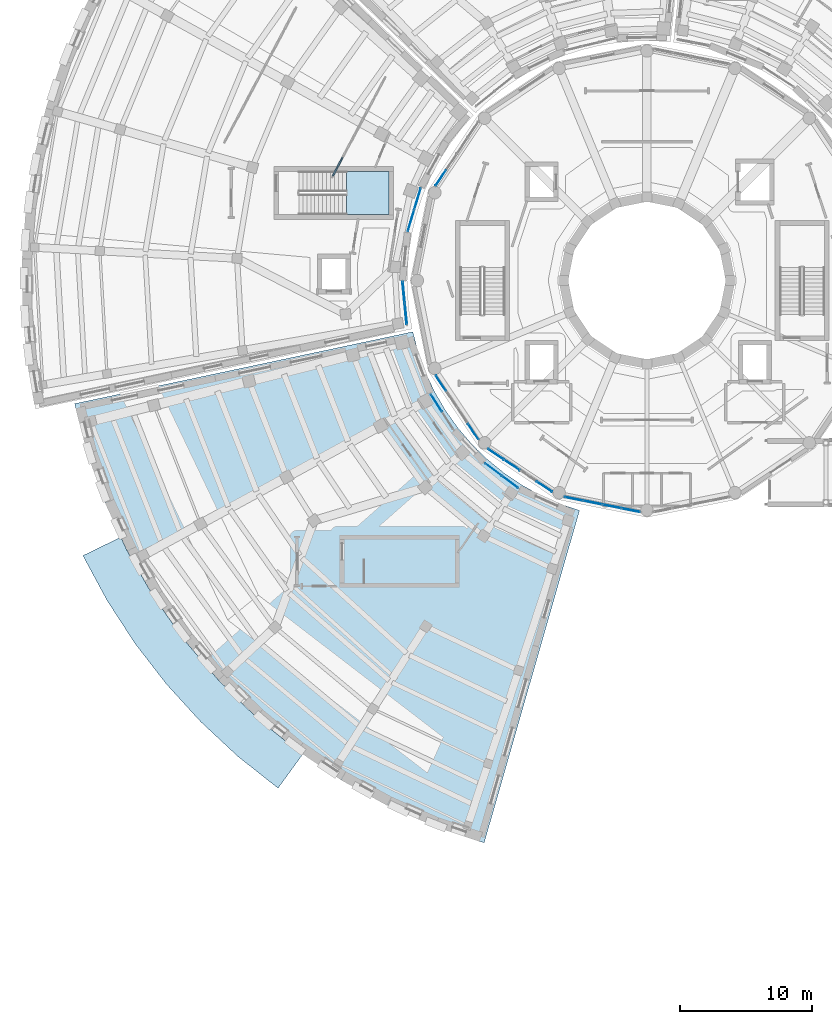
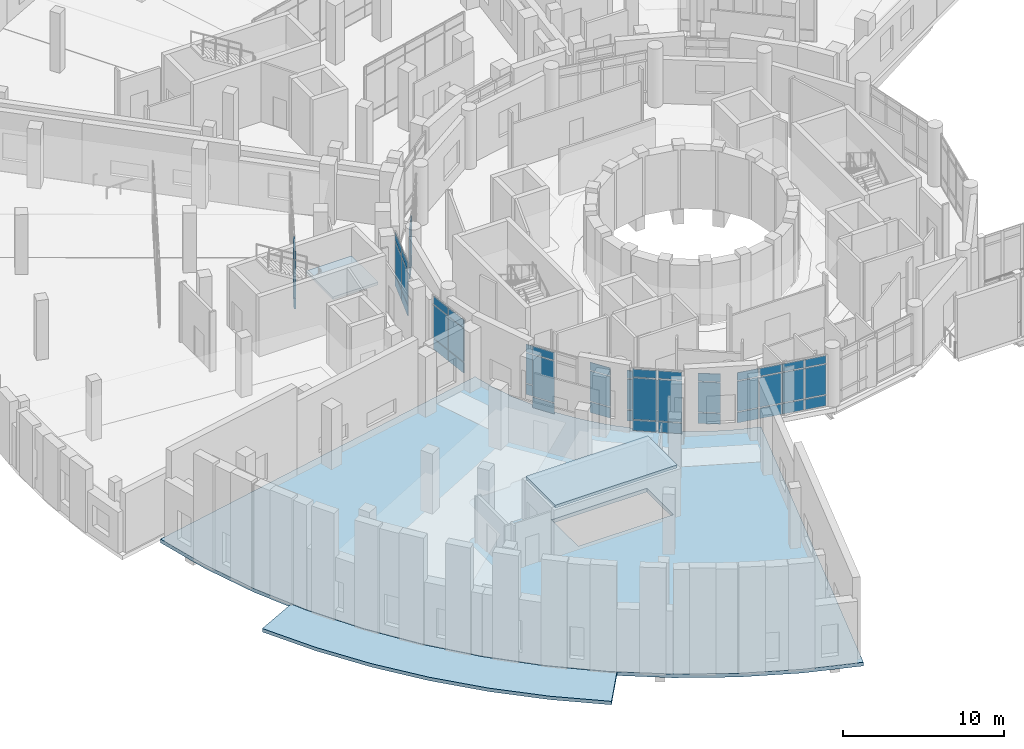
# One storey, part 46 of 89: 53 plates, 4 slabs, 10 elements without a shape of their own.
"""IFC4 building model written with IfcOpenShell, lengths in metres."""

from ifc_helpers import new_model, si_unit, direction, frame, origin, origin_2d, place, context, subcontext, project, spatial, polyline, rectangle, outline, extrude, material, layer, layer_set, type_object, element, aggregate, save


model = new_model("IFC4")

# Units and contexts
model_context = context("Model", 3, precision=1e-05, world=origin(), true_north=direction((0.0, 1.0)))
body_context = subcontext(model_context, "Body", "Model", "MODEL_VIEW")
ifc_project = project(units=[si_unit("LENGTHUNIT", "METRE"), si_unit("AREAUNIT", "SQUARE_METRE"), si_unit("VOLUMEUNIT", "CUBIC_METRE"), si_unit("PLANEANGLEUNIT", "RADIAN"), si_unit("MASSUNIT", "GRAM", prefix="KILO")], contexts=[model_context])

# Site, building, storey
site_placement = place(None, origin())
site = spatial("IfcSite", under=ifc_project, at=site_placement, CompositionType="ELEMENT")
building_placement = place(site_placement, origin())
building = spatial("IfcBuilding", under=site, at=building_placement, Name="Soyqirgoq Riverine Aquarium", CompositionType="ELEMENT")
storey_placement = place(building_placement, frame((0.0, 0.0, 5.39990234375)))
storey = spatial("IfcBuildingStorey", under=building, at=storey_placement, Name="L02", CompositionType="ELEMENT", Elevation=5.39990234375)

# Curtain wall, plates
ifc_material_1 = material(Name="Cast polymethyl methacrylate PMMA Habitat Viewing Glazing", Category="glass")
curtain_wall_type_1 = type_object("IfcCurtainWallType", Name="CW_Interior_TankVitrine", PredefinedType="NOTDEFINED", material=ifc_material_1)
curtain_wall_1_placement = place(storey_placement, origin())
curtain_wall_1 = element("IfcCurtainWall", 1, at=curtain_wall_1_placement, inside=storey, type_object=curtain_wall_type_1, Name="V3 L02 Curtain Wall 149", PredefinedType="NOTDEFINED")
ifc_material_2 = material(Name="Cast polymethyl methacrylate PMMA", Category="glass")
ifc_layer_1 = layer(ifc_material_2, 0.1201171875)
ifc_layer_set_1 = layer_set([ifc_layer_1], Name="Cast polymethyl methacrylate PMMA")
plate_type_1 = type_object("IfcPlateType", Name="CWAcrylicPanel_120", PredefinedType="CURTAIN_PANEL", material=ifc_layer_set_1)
plate_1_placement = place(storey_placement, frame((32.4912109375, 65.648193359375, 0.074951171875), z_axis=(0.0, 0.0, 1.0), x_axis=(-0.469472953199, -0.882946853562, 0.0)))
plate_1 = element("IfcPlate", 2, at=plate_1_placement, type_object=plate_type_1, Name="CW-07 panel 5.1", PredefinedType="CURTAIN_PANEL", context=body_context, shape_type="SweptSolid", body=[
    extrude(rectangle(XDim=1.59033203125, YDim=0.1201171875, at=origin_2d()), origin(), (0.0, 0.0, 1.0), 0.78759765625),
])
plate_2_placement = place(storey_placement, frame((32.4912109375, 65.648193359375, 0.9375), z_axis=(0.0, 0.0, 1.0), x_axis=(-0.469472953199, -0.882946853562, 0.0)))
plate_2 = element("IfcPlate", 3, at=plate_2_placement, type_object=plate_type_1, Name="CW-07 panel 5.2", PredefinedType="CURTAIN_PANEL", context=body_context, shape_type="SweptSolid", body=[
    extrude(rectangle(XDim=1.59033203125, YDim=0.1201171875, at=origin_2d()), origin(), (0.0, 0.0, 1.0), 2.844970703125),
])
plate_3_placement = place(storey_placement, frame((32.4912109375, 65.648193359375, 3.857666015625), z_axis=(0.0, 0.0, 1.0), x_axis=(-0.469472953199, -0.882946853562, 0.0)))
plate_3 = element("IfcPlate", 4, at=plate_3_placement, type_object=plate_type_1, Name="CW-07 panel 5.3", PredefinedType="CURTAIN_PANEL", context=body_context, shape_type="SweptSolid", body=[
    extrude(rectangle(XDim=1.59033203125, YDim=0.1201171875, at=origin_2d()), origin(), (0.0, 0.0, 1.0), 0.58740234375),
])
aggregate(curtain_wall_1, [plate_1, plate_2, plate_3])

ifc_material_3 = material(Name="Anodised aluminium thermally broken triple low-E glazing", Category="aluminium")
curtain_wall_type_2 = type_object("IfcCurtainWallType", Name="CW_DrumGallery_Unitised", PredefinedType="NOTDEFINED", material=ifc_material_3)
curtain_wall_2_placement = place(storey_placement, origin())
curtain_wall_2 = element("IfcCurtainWall", 5, at=curtain_wall_2_placement, inside=storey, type_object=curtain_wall_type_2, Name="V1 L02 Curtain Wall 035", PredefinedType="NOTDEFINED")
ifc_material_4 = material(Name="Triple insulated laminated low-E glass", Category="glass")
ifc_layer_2 = layer(ifc_material_4, 0.0458984375)
ifc_layer_set_2 = layer_set([ifc_layer_2], Name="Triple insulated laminated low-E glass")
plate_type_2 = type_object("IfcPlateType", Name="CWGlazedPanel_46", PredefinedType="CURTAIN_PANEL", material=ifc_layer_set_2)
plate_4_placement = place(storey_placement, frame((40.335205078125, 49.197021484375, 0.074951171875), z_axis=(0.0, 0.0, 1.0), x_axis=(0.5555648253, -0.8314732256, 0.0)))
plate_4 = element("IfcPlate", 6, at=plate_4_placement, type_object=plate_type_2, Name="CW-01 panel 1.1", PredefinedType="CURTAIN_PANEL", context=body_context, shape_type="SweptSolid", body=[
    extrude(rectangle(XDim=1.389892578125, YDim=0.0458984375, at=origin_2d()), origin(), (0.0, 0.0, 1.0), 0.78759765625),
])
plate_5_placement = place(storey_placement, frame((40.335205078125, 49.197021484375, 0.937744140625), z_axis=(0.0, 0.0, 1.0), x_axis=(0.5555648253, -0.8314732256, 0.0)))
plate_5 = element("IfcPlate", 7, at=plate_5_placement, type_object=plate_type_2, Name="CW-01 panel 1.2", PredefinedType="CURTAIN_PANEL", context=body_context, shape_type="SweptSolid", body=[
    extrude(rectangle(XDim=1.389892578125, YDim=0.0458984375, at=origin_2d()), origin(), (0.0, 0.0, 1.0), 2.27490234375),
])
plate_6_placement = place(storey_placement, frame((40.335205078125, 49.197021484375, 3.28759765625), z_axis=(0.0, 0.0, 1.0), x_axis=(0.5555648253, -0.8314732256, 0.0)))
plate_6 = element("IfcPlate", 8, at=plate_6_placement, type_object=plate_type_2, Name="CW-01 panel 1.3", PredefinedType="CURTAIN_PANEL", context=body_context, shape_type="SweptSolid", body=[
    extrude(rectangle(XDim=1.389892578125, YDim=0.0458984375, at=origin_2d()), origin(), (0.0, 0.0, 1.0), 0.58740234375),
])
plate_7_placement = place(storey_placement, frame((42.79638671875, 45.513671875, 0.074951171875), z_axis=(0.0, 0.0, 1.0), x_axis=(0.5555648253, -0.8314732256, 0.0)))
plate_7 = element("IfcPlate", 9, at=plate_7_placement, type_object=plate_type_2, Name="CW-01 panel 4.1", PredefinedType="CURTAIN_PANEL", context=body_context, shape_type="SweptSolid", body=[
    extrude(rectangle(XDim=1.389892578125, YDim=0.0458984375, at=origin_2d()), origin(), (0.0, 0.0, 1.0), 0.78759765625),
])
plate_8_placement = place(storey_placement, frame((42.79638671875, 45.513671875, 0.937744140625), z_axis=(0.0, 0.0, 1.0), x_axis=(0.5555648253, -0.8314732256, 0.0)))
plate_8 = element("IfcPlate", 10, at=plate_8_placement, type_object=plate_type_2, Name="CW-01 panel 4.2", PredefinedType="CURTAIN_PANEL", context=body_context, shape_type="SweptSolid", body=[
    extrude(rectangle(XDim=1.389892578125, YDim=0.0458984375, at=origin_2d()), origin(), (0.0, 0.0, 1.0), 2.27490234375),
])
plate_9_placement = place(storey_placement, frame((42.79638671875, 45.513671875, 3.28759765625), z_axis=(0.0, 0.0, 1.0), x_axis=(0.5555648253, -0.8314732256, 0.0)))
plate_9 = element("IfcPlate", 11, at=plate_9_placement, type_object=plate_type_2, Name="CW-01 panel 4.3", PredefinedType="CURTAIN_PANEL", context=body_context, shape_type="SweptSolid", body=[
    extrude(rectangle(XDim=1.389892578125, YDim=0.0458984375, at=origin_2d()), origin(), (0.0, 0.0, 1.0), 0.58740234375),
])
aggregate(curtain_wall_2, [plate_4, plate_5, plate_6, plate_7, plate_8, plate_9])

curtain_wall_3_placement = place(storey_placement, origin())
curtain_wall_3 = element("IfcCurtainWall", 12, at=curtain_wall_3_placement, inside=storey, type_object=curtain_wall_type_2, Name="V1 L02 Curtain Wall 049", PredefinedType="NOTDEFINED")
plate_10_placement = place(storey_placement, frame((50.44091796875, 40.40576171875, 0.074951171875), z_axis=(0.0, 0.0, 1.0), x_axis=(0.980785709335, -0.195088165618, 0.0)))
plate_10 = element("IfcPlate", 13, at=plate_10_placement, type_object=plate_type_2, Name="CW-01 panel 1.1", PredefinedType="CURTAIN_PANEL", context=body_context, shape_type="SweptSolid", body=[
    extrude(rectangle(XDim=1.389892578125, YDim=0.0458984375, at=origin_2d()), origin(), (0.0, 0.0, 1.0), 0.78759765625),
])
plate_11_placement = place(storey_placement, frame((50.44091796875, 40.40576171875, 0.937744140625), z_axis=(0.0, 0.0, 1.0), x_axis=(0.980785709335, -0.195088165618, 0.0)))
plate_11 = element("IfcPlate", 14, at=plate_11_placement, type_object=plate_type_2, Name="CW-01 panel 1.2", PredefinedType="CURTAIN_PANEL", context=body_context, shape_type="SweptSolid", body=[
    extrude(rectangle(XDim=1.389892578125, YDim=0.0458984375, at=origin_2d()), origin(), (0.0, 0.0, 1.0), 2.27490234375),
])
plate_12_placement = place(storey_placement, frame((50.44091796875, 40.40576171875, 3.28759765625), z_axis=(0.0, 0.0, 1.0), x_axis=(0.980785709335, -0.195088165618, 0.0)))
plate_12 = element("IfcPlate", 15, at=plate_12_placement, type_object=plate_type_2, Name="CW-01 panel 1.3", PredefinedType="CURTAIN_PANEL", context=body_context, shape_type="SweptSolid", body=[
    extrude(rectangle(XDim=1.389892578125, YDim=0.0458984375, at=origin_2d()), origin(), (0.0, 0.0, 1.0), 0.58740234375),
])
plate_13_placement = place(storey_placement, frame((51.8837890625, 40.11865234375, 0.074951171875), z_axis=(0.0, 0.0, 1.0), x_axis=(0.980785709335, -0.195088165618, 0.0)))
plate_13 = element("IfcPlate", 16, at=plate_13_placement, type_object=plate_type_2, Name="CW-01 panel 2.1", PredefinedType="CURTAIN_PANEL", context=body_context, shape_type="SweptSolid", body=[
    extrude(rectangle(XDim=1.42236328125, YDim=0.0458984375, at=origin_2d()), origin(), (0.0, 0.0, 1.0), 0.78759765625),
])
plate_14_placement = place(storey_placement, frame((51.8837890625, 40.11865234375, 0.937744140625), z_axis=(0.0, 0.0, 1.0), x_axis=(0.980785709335, -0.195088165618, 0.0)))
plate_14 = element("IfcPlate", 17, at=plate_14_placement, type_object=plate_type_2, Name="CW-01 panel 2.2", PredefinedType="CURTAIN_PANEL", context=body_context, shape_type="SweptSolid", body=[
    extrude(rectangle(XDim=1.42236328125, YDim=0.0458984375, at=origin_2d()), origin(), (0.0, 0.0, 1.0), 2.27490234375),
])
plate_15_placement = place(storey_placement, frame((51.8837890625, 40.11865234375, 3.28759765625), z_axis=(0.0, 0.0, 1.0), x_axis=(0.980785709335, -0.195088165618, 0.0)))
plate_15 = element("IfcPlate", 18, at=plate_15_placement, type_object=plate_type_2, Name="CW-01 panel 2.3", PredefinedType="CURTAIN_PANEL", context=body_context, shape_type="SweptSolid", body=[
    extrude(rectangle(XDim=1.42236328125, YDim=0.0458984375, at=origin_2d()), origin(), (0.0, 0.0, 1.0), 0.58740234375),
])
plate_16_placement = place(storey_placement, frame((53.3427734375, 39.82861328125, 0.074951171875), z_axis=(0.0, 0.0, 1.0), x_axis=(0.980785709335, -0.195088165618, 0.0)))
plate_16 = element("IfcPlate", 19, at=plate_16_placement, type_object=plate_type_2, Name="CW-01 panel 3.1", PredefinedType="CURTAIN_PANEL", context=body_context, shape_type="SweptSolid", body=[
    extrude(rectangle(XDim=1.42236328125, YDim=0.0458984375, at=origin_2d()), origin(), (0.0, 0.0, 1.0), 0.78759765625),
])
plate_17_placement = place(storey_placement, frame((53.3427734375, 39.82861328125, 0.937744140625), z_axis=(0.0, 0.0, 1.0), x_axis=(0.980785709335, -0.195088165618, 0.0)))
plate_17 = element("IfcPlate", 20, at=plate_17_placement, type_object=plate_type_2, Name="CW-01 panel 3.2", PredefinedType="CURTAIN_PANEL", context=body_context, shape_type="SweptSolid", body=[
    extrude(rectangle(XDim=1.42236328125, YDim=0.0458984375, at=origin_2d()), origin(), (0.0, 0.0, 1.0), 2.27490234375),
])
plate_18_placement = place(storey_placement, frame((53.3427734375, 39.82861328125, 3.28759765625), z_axis=(0.0, 0.0, 1.0), x_axis=(0.980785709335, -0.195088165618, 0.0)))
plate_18 = element("IfcPlate", 21, at=plate_18_placement, type_object=plate_type_2, Name="CW-01 panel 3.3", PredefinedType="CURTAIN_PANEL", context=body_context, shape_type="SweptSolid", body=[
    extrude(rectangle(XDim=1.42236328125, YDim=0.0458984375, at=origin_2d()), origin(), (0.0, 0.0, 1.0), 0.58740234375),
])
plate_19_placement = place(storey_placement, frame((54.78564453125, 39.54150390625, 0.074951171875), z_axis=(0.0, 0.0, 1.0), x_axis=(0.980785709335, -0.195088165618, 0.0)))
plate_19 = element("IfcPlate", 22, at=plate_19_placement, type_object=plate_type_2, Name="CW-01 panel 4.1", PredefinedType="CURTAIN_PANEL", context=body_context, shape_type="SweptSolid", body=[
    extrude(rectangle(XDim=1.389892578125, YDim=0.0458984375, at=origin_2d()), origin(), (0.0, 0.0, 1.0), 0.78759765625),
])
plate_20_placement = place(storey_placement, frame((54.78564453125, 39.54150390625, 0.937744140625), z_axis=(0.0, 0.0, 1.0), x_axis=(0.980785709335, -0.195088165618, 0.0)))
plate_20 = element("IfcPlate", 23, at=plate_20_placement, type_object=plate_type_2, Name="CW-01 panel 4.2", PredefinedType="CURTAIN_PANEL", context=body_context, shape_type="SweptSolid", body=[
    extrude(rectangle(XDim=1.389892578125, YDim=0.0458984375, at=origin_2d()), origin(), (0.0, 0.0, 1.0), 2.27490234375),
])
plate_21_placement = place(storey_placement, frame((54.78564453125, 39.54150390625, 3.28759765625), z_axis=(0.0, 0.0, 1.0), x_axis=(0.980785709335, -0.195088165618, 0.0)))
plate_21 = element("IfcPlate", 24, at=plate_21_placement, type_object=plate_type_2, Name="CW-01 panel 4.3", PredefinedType="CURTAIN_PANEL", context=body_context, shape_type="SweptSolid", body=[
    extrude(rectangle(XDim=1.389892578125, YDim=0.0458984375, at=origin_2d()), origin(), (0.0, 0.0, 1.0), 0.58740234375),
])
aggregate(curtain_wall_3, [plate_10, plate_11, plate_12, plate_13, plate_14, plate_15, plate_16, plate_17, plate_18, plate_19, plate_20, plate_21])

ifc_material_5 = material(Name="Anodised aluminium thermally broken double low-E glazing", Category="aluminium")
curtain_wall_type_3 = type_object("IfcCurtainWallType", Name="CW_Wedge_NorthBay", PredefinedType="NOTDEFINED", material=ifc_material_5)
curtain_wall_4_placement = place(storey_placement, origin())
curtain_wall_4 = element("IfcCurtainWall", 25, at=curtain_wall_4_placement, inside=storey, type_object=curtain_wall_type_3, Name="V2 L02 Curtain Wall 081", PredefinedType="NOTDEFINED")
plate_22_placement = place(storey_placement, frame((40.000732421875, 47.6875, 0.074951171875), z_axis=(0.0, 0.0, 1.0), x_axis=(0.539760190183, -0.841818826764, 0.0)))
plate_22 = element("IfcPlate", 26, at=plate_22_placement, type_object=plate_type_2, Name="CW-03 panel 1.1", PredefinedType="CURTAIN_PANEL", context=body_context, shape_type="SweptSolid", body=[
    extrude(rectangle(XDim=1.51220703125, YDim=0.0458984375, at=origin_2d()), origin(), (0.0, 0.0, 1.0), 0.78759765625),
])
plate_23_placement = place(storey_placement, frame((40.000732421875, 47.6875, 0.9375), z_axis=(0.0, 0.0, 1.0), x_axis=(0.539760190183, -0.841818826764, 0.0)))
plate_23 = element("IfcPlate", 27, at=plate_23_placement, type_object=plate_type_2, Name="CW-03 panel 1.2", PredefinedType="CURTAIN_PANEL", context=body_context, shape_type="SweptSolid", body=[
    extrude(rectangle(XDim=1.51220703125, YDim=0.0458984375, at=origin_2d()), origin(), (0.0, 0.0, 1.0), 3.135009765625),
])
plate_24_placement = place(storey_placement, frame((40.000732421875, 47.6875, 4.147705078125), z_axis=(0.0, 0.0, 1.0), x_axis=(0.539760190183, -0.841818826764, 0.0)))
plate_24 = element("IfcPlate", 28, at=plate_24_placement, type_object=plate_type_2, Name="CW-03 panel 1.3", PredefinedType="CURTAIN_PANEL", context=body_context, shape_type="SweptSolid", body=[
    extrude(rectangle(XDim=1.51220703125, YDim=0.0458984375, at=origin_2d()), origin(), (0.0, 0.0, 1.0), 0.58740234375),
])
aggregate(curtain_wall_4, [plate_22, plate_23, plate_24])

curtain_wall_5_placement = place(storey_placement, origin())
curtain_wall_5 = element("IfcCurtainWall", 29, at=curtain_wall_5_placement, inside=storey, type_object=curtain_wall_type_3, Name="V2 L02 Curtain Wall 082", PredefinedType="NOTDEFINED")
plate_25_placement = place(storey_placement, frame((44.317138671875, 42.640380859375, 0.074951171875), z_axis=(0.0, 0.0, 1.0), x_axis=(0.802130516573, -0.597148753982, 0.0)))
plate_25 = element("IfcPlate", 30, at=plate_25_placement, type_object=plate_type_2, Name="CW-03 panel 1.1", PredefinedType="CURTAIN_PANEL", context=body_context, shape_type="SweptSolid", body=[
    extrude(rectangle(XDim=1.512451171875, YDim=0.0458984375, at=origin_2d()), origin(), (0.0, 0.0, 1.0), 0.78759765625),
])
plate_26_placement = place(storey_placement, frame((44.317138671875, 42.640380859375, 0.9375), z_axis=(0.0, 0.0, 1.0), x_axis=(0.802130516573, -0.597148753982, 0.0)))
plate_26 = element("IfcPlate", 31, at=plate_26_placement, type_object=plate_type_2, Name="CW-03 panel 1.2", PredefinedType="CURTAIN_PANEL", context=body_context, shape_type="SweptSolid", body=[
    extrude(rectangle(XDim=1.512451171875, YDim=0.0458984375, at=origin_2d()), origin(), (0.0, 0.0, 1.0), 3.135009765625),
])
plate_27_placement = place(storey_placement, frame((44.317138671875, 42.640380859375, 4.147705078125), z_axis=(0.0, 0.0, 1.0), x_axis=(0.802130516573, -0.597148753982, 0.0)))
plate_27 = element("IfcPlate", 32, at=plate_27_placement, type_object=plate_type_2, Name="CW-03 panel 1.3", PredefinedType="CURTAIN_PANEL", context=body_context, shape_type="SweptSolid", body=[
    extrude(rectangle(XDim=1.512451171875, YDim=0.0458984375, at=origin_2d()), origin(), (0.0, 0.0, 1.0), 0.58740234375),
])
plate_28_placement = place(storey_placement, frame((45.59423828125, 41.689453125, 0.074951171875), z_axis=(0.0, 0.0, 1.0), x_axis=(0.802130516573, -0.597148753982, 0.0)))
plate_28 = element("IfcPlate", 33, at=plate_28_placement, type_object=plate_type_2, Name="CW-03 panel 2.1", PredefinedType="CURTAIN_PANEL", context=body_context, shape_type="SweptSolid", body=[
    extrude(rectangle(XDim=1.512451171875, YDim=0.0458984375, at=origin_2d()), origin(), (0.0, 0.0, 1.0), 0.78759765625),
])
plate_29_placement = place(storey_placement, frame((45.59423828125, 41.689453125, 0.9375), z_axis=(0.0, 0.0, 1.0), x_axis=(0.802130516573, -0.597148753982, 0.0)))
plate_29 = element("IfcPlate", 34, at=plate_29_placement, type_object=plate_type_2, Name="CW-03 panel 2.2", PredefinedType="CURTAIN_PANEL", context=body_context, shape_type="SweptSolid", body=[
    extrude(rectangle(XDim=1.512451171875, YDim=0.0458984375, at=origin_2d()), origin(), (0.0, 0.0, 1.0), 3.135009765625),
])
plate_30_placement = place(storey_placement, frame((45.59423828125, 41.689453125, 4.147705078125), z_axis=(0.0, 0.0, 1.0), x_axis=(0.802130516573, -0.597148753982, 0.0)))
plate_30 = element("IfcPlate", 35, at=plate_30_placement, type_object=plate_type_2, Name="CW-03 panel 2.3", PredefinedType="CURTAIN_PANEL", context=body_context, shape_type="SweptSolid", body=[
    extrude(rectangle(XDim=1.512451171875, YDim=0.0458984375, at=origin_2d()), origin(), (0.0, 0.0, 1.0), 0.58740234375),
])
aggregate(curtain_wall_5, [plate_25, plate_26, plate_27, plate_28, plate_29, plate_30])

curtain_wall_6_placement = place(storey_placement, origin())
curtain_wall_6 = element("IfcCurtainWall", 36, at=curtain_wall_6_placement, inside=storey, type_object=curtain_wall_type_3, Name="V3 L02 Curtain Wall 083", PredefinedType="NOTDEFINED")
plate_31_placement = place(storey_placement, frame((38.5625, 63.210693359375, 0.074951171875), z_axis=(0.0, 0.0, 1.0), x_axis=(-0.288134200317, -0.957590038904, 0.0)))
plate_31 = element("IfcPlate", 37, at=plate_31_placement, type_object=plate_type_2, Name="CW-03 panel 1.1", PredefinedType="CURTAIN_PANEL", context=body_context, shape_type="SweptSolid", body=[
    extrude(rectangle(XDim=1.669921875, YDim=0.0458984375, at=origin_2d()), origin(), (0.0, 0.0, 1.0), 0.78759765625),
])
plate_32_placement = place(storey_placement, frame((38.5625, 63.210693359375, 0.9375), z_axis=(0.0, 0.0, 1.0), x_axis=(-0.288134200317, -0.957590038904, 0.0)))
plate_32 = element("IfcPlate", 38, at=plate_32_placement, type_object=plate_type_2, Name="CW-03 panel 1.2", PredefinedType="CURTAIN_PANEL", context=body_context, shape_type="SweptSolid", body=[
    extrude(rectangle(XDim=1.669921875, YDim=0.0458984375, at=origin_2d()), origin(), (0.0, 0.0, 1.0), 2.4951171875),
])
plate_33_placement = place(storey_placement, frame((38.5625, 63.210693359375, 3.507568359375), z_axis=(0.0, 0.0, 1.0), x_axis=(-0.288134200317, -0.957590038904, 0.0)))
plate_33 = element("IfcPlate", 39, at=plate_33_placement, type_object=plate_type_2, Name="CW-03 panel 1.3", PredefinedType="CURTAIN_PANEL", context=body_context, shape_type="SweptSolid", body=[
    extrude(rectangle(XDim=1.669921875, YDim=0.0458984375, at=origin_2d()), origin(), (0.0, 0.0, 1.0), 0.58740234375),
])
plate_34_placement = place(storey_placement, frame((38.062744140625, 61.54931640625, 0.074951171875), z_axis=(0.0, 0.0, 1.0), x_axis=(-0.288134200317, -0.957590038904, 0.0)))
plate_34 = element("IfcPlate", 40, at=plate_34_placement, type_object=plate_type_2, Name="CW-03 panel 2.1", PredefinedType="CURTAIN_PANEL", context=body_context, shape_type="SweptSolid", body=[
    extrude(rectangle(XDim=1.669921875, YDim=0.0458984375, at=origin_2d()), origin(), (0.0, 0.0, 1.0), 0.78759765625),
])
plate_35_placement = place(storey_placement, frame((38.062744140625, 61.54931640625, 0.9375), z_axis=(0.0, 0.0, 1.0), x_axis=(-0.288134200317, -0.957590038904, 0.0)))
plate_35 = element("IfcPlate", 41, at=plate_35_placement, type_object=plate_type_2, Name="CW-03 panel 2.2", PredefinedType="CURTAIN_PANEL", context=body_context, shape_type="SweptSolid", body=[
    extrude(rectangle(XDim=1.669921875, YDim=0.0458984375, at=origin_2d()), origin(), (0.0, 0.0, 1.0), 2.4951171875),
])
plate_36_placement = place(storey_placement, frame((38.062744140625, 61.54931640625, 3.507568359375), z_axis=(0.0, 0.0, 1.0), x_axis=(-0.288134200317, -0.957590038904, 0.0)))
plate_36 = element("IfcPlate", 42, at=plate_36_placement, type_object=plate_type_2, Name="CW-03 panel 2.3", PredefinedType="CURTAIN_PANEL", context=body_context, shape_type="SweptSolid", body=[
    extrude(rectangle(XDim=1.669921875, YDim=0.0458984375, at=origin_2d()), origin(), (0.0, 0.0, 1.0), 0.58740234375),
])
aggregate(curtain_wall_6, [plate_31, plate_32, plate_33, plate_34, plate_35, plate_36])

curtain_wall_7_placement = place(storey_placement, origin())
curtain_wall_7 = element("IfcCurtainWall", 43, at=curtain_wall_7_placement, inside=storey, type_object=curtain_wall_type_2, Name="V1 L02 Curtain Wall 024", PredefinedType="NOTDEFINED")
ifc_material_6 = material(Name="Insulated shadow-box aluminium spandrel panel", Category="aluminium")
ifc_layer_3 = layer(ifc_material_6, 0.06005859375)
ifc_layer_set_3 = layer_set([ifc_layer_3], Name="Insulated shadow-box aluminium spandrel panel")
plate_type_3 = type_object("IfcPlateType", Name="CWSpandrelPanel_60", PredefinedType="CURTAIN_PANEL", material=ifc_layer_set_3)
plate_37_placement = place(storey_placement, frame((40.335205078125, 64.802978515625, 0.074951171875), z_axis=(0.0, 0.0, 1.0), x_axis=(-0.5555648253, -0.8314732256, 0.0)))
plate_37 = element("IfcPlate", 44, at=plate_37_placement, type_object=plate_type_3, Name="CW-01 panel 4.1", PredefinedType="CURTAIN_PANEL", context=body_context, shape_type="SweptSolid", body=[
    extrude(rectangle(XDim=1.389892578125, YDim=0.06005859375, at=origin_2d()), origin(), (0.0, 0.0, 1.0), 0.78759765625),
])
plate_38_placement = place(storey_placement, frame((40.335205078125, 64.802978515625, 0.937744140625), z_axis=(0.0, 0.0, 1.0), x_axis=(-0.5555648253, -0.8314732256, 0.0)))
plate_38 = element("IfcPlate", 45, at=plate_38_placement, type_object=plate_type_3, Name="CW-01 panel 4.2", PredefinedType="CURTAIN_PANEL", context=body_context, shape_type="SweptSolid", body=[
    extrude(rectangle(XDim=1.389892578125, YDim=0.06005859375, at=origin_2d()), origin(), (0.0, 0.0, 1.0), 2.27490234375),
])
plate_39_placement = place(storey_placement, frame((40.335205078125, 64.802978515625, 3.28759765625), z_axis=(0.0, 0.0, 1.0), x_axis=(-0.5555648253, -0.8314732256, 0.0)))
plate_39 = element("IfcPlate", 46, at=plate_39_placement, type_object=plate_type_3, Name="CW-01 panel 4.3", PredefinedType="CURTAIN_PANEL", context=body_context, shape_type="SweptSolid", body=[
    extrude(rectangle(XDim=1.389892578125, YDim=0.06005859375, at=origin_2d()), origin(), (0.0, 0.0, 1.0), 0.58740234375),
])
aggregate(curtain_wall_7, [plate_37, plate_38, plate_39])

curtain_wall_8_placement = place(storey_placement, origin())
curtain_wall_8 = element("IfcCurtainWall", 47, at=curtain_wall_8_placement, inside=storey, type_object=curtain_wall_type_2, Name="V1 L02 Curtain Wall 042", PredefinedType="NOTDEFINED")
plate_40_placement = place(storey_placement, frame((44.513671875, 43.79638671875, 0.074951171875), z_axis=(0.0, 0.0, 1.0), x_axis=(0.8314732256, -0.5555648253, 0.0)))
plate_40 = element("IfcPlate", 48, at=plate_40_placement, type_object=plate_type_3, Name="CW-01 panel 1.1", PredefinedType="CURTAIN_PANEL", context=body_context, shape_type="SweptSolid", body=[
    extrude(rectangle(XDim=1.389892578125, YDim=0.06005859375, at=origin_2d()), origin(), (0.0, 0.0, 1.0), 0.78759765625),
])
plate_41_placement = place(storey_placement, frame((44.513671875, 43.79638671875, 0.937744140625), z_axis=(0.0, 0.0, 1.0), x_axis=(0.8314732256, -0.5555648253, 0.0)))
plate_41 = element("IfcPlate", 49, at=plate_41_placement, type_object=plate_type_3, Name="CW-01 panel 1.2", PredefinedType="CURTAIN_PANEL", context=body_context, shape_type="SweptSolid", body=[
    extrude(rectangle(XDim=1.389892578125, YDim=0.06005859375, at=origin_2d()), origin(), (0.0, 0.0, 1.0), 2.27490234375),
])
plate_42_placement = place(storey_placement, frame((44.513671875, 43.79638671875, 3.28759765625), z_axis=(0.0, 0.0, 1.0), x_axis=(0.8314732256, -0.5555648253, 0.0)))
plate_42 = element("IfcPlate", 50, at=plate_42_placement, type_object=plate_type_3, Name="CW-01 panel 1.3", PredefinedType="CURTAIN_PANEL", context=body_context, shape_type="SweptSolid", body=[
    extrude(rectangle(XDim=1.389892578125, YDim=0.06005859375, at=origin_2d()), origin(), (0.0, 0.0, 1.0), 0.58740234375),
])
plate_43_placement = place(storey_placement, frame((45.737060546875, 42.97900390625, 0.074951171875), z_axis=(0.0, 0.0, 1.0), x_axis=(0.8314732256, -0.5555648253, 0.0)))
plate_43 = element("IfcPlate", 51, at=plate_43_placement, type_object=plate_type_3, Name="CW-01 panel 2.1", PredefinedType="CURTAIN_PANEL", context=body_context, shape_type="SweptSolid", body=[
    extrude(rectangle(XDim=1.42236328125, YDim=0.06005859375, at=origin_2d()), origin(), (0.0, 0.0, 1.0), 0.78759765625),
])
plate_44_placement = place(storey_placement, frame((45.737060546875, 42.97900390625, 0.937744140625), z_axis=(0.0, 0.0, 1.0), x_axis=(0.8314732256, -0.5555648253, 0.0)))
plate_44 = element("IfcPlate", 52, at=plate_44_placement, type_object=plate_type_3, Name="CW-01 panel 2.2", PredefinedType="CURTAIN_PANEL", context=body_context, shape_type="SweptSolid", body=[
    extrude(rectangle(XDim=1.42236328125, YDim=0.06005859375, at=origin_2d()), origin(), (0.0, 0.0, 1.0), 2.27490234375),
])
plate_45_placement = place(storey_placement, frame((48.197021484375, 41.335205078125, 0.074951171875), z_axis=(0.0, 0.0, 1.0), x_axis=(0.8314732256, -0.5555648253, 0.0)))
plate_45 = element("IfcPlate", 53, at=plate_45_placement, type_object=plate_type_3, Name="CW-01 panel 4.1", PredefinedType="CURTAIN_PANEL", context=body_context, shape_type="SweptSolid", body=[
    extrude(rectangle(XDim=1.389892578125, YDim=0.06005859375, at=origin_2d()), origin(), (0.0, 0.0, 1.0), 0.78759765625),
])
plate_46_placement = place(storey_placement, frame((48.197021484375, 41.335205078125, 0.937744140625), z_axis=(0.0, 0.0, 1.0), x_axis=(0.8314732256, -0.5555648253, 0.0)))
plate_46 = element("IfcPlate", 54, at=plate_46_placement, type_object=plate_type_3, Name="CW-01 panel 4.2", PredefinedType="CURTAIN_PANEL", context=body_context, shape_type="SweptSolid", body=[
    extrude(rectangle(XDim=1.389892578125, YDim=0.06005859375, at=origin_2d()), origin(), (0.0, 0.0, 1.0), 2.27490234375),
])
plate_47_placement = place(storey_placement, frame((48.197021484375, 41.335205078125, 3.28759765625), z_axis=(0.0, 0.0, 1.0), x_axis=(0.8314732256, -0.5555648253, 0.0)))
plate_47 = element("IfcPlate", 55, at=plate_47_placement, type_object=plate_type_3, Name="CW-01 panel 4.3", PredefinedType="CURTAIN_PANEL", context=body_context, shape_type="SweptSolid", body=[
    extrude(rectangle(XDim=1.389892578125, YDim=0.06005859375, at=origin_2d()), origin(), (0.0, 0.0, 1.0), 0.58740234375),
])
aggregate(curtain_wall_8, [plate_40, plate_41, plate_42, plate_43, plate_44, plate_45, plate_46, plate_47])

curtain_wall_9_placement = place(storey_placement, origin())
curtain_wall_9 = element("IfcCurtainWall", 56, at=curtain_wall_9_placement, inside=storey, type_object=curtain_wall_type_3, Name="V3 L02 Curtain Wall 084", PredefinedType="NOTDEFINED")
plate_48_placement = place(storey_placement, frame((37.50732421875, 56.112060546875, 0.074951171875), z_axis=(0.0, 0.0, 1.0), x_axis=(0.099139506467, -0.995073544145, 0.0)))
plate_48 = element("IfcPlate", 57, at=plate_48_placement, type_object=plate_type_3, Name="CW-03 panel 1.1", PredefinedType="CURTAIN_PANEL", context=body_context, shape_type="SweptSolid", body=[
    extrude(rectangle(XDim=1.574462890625, YDim=0.06005859375, at=origin_2d()), origin(), (0.0, 0.0, 1.0), 0.78759765625),
])
plate_49_placement = place(storey_placement, frame((37.50732421875, 56.112060546875, 0.9375), z_axis=(0.0, 0.0, 1.0), x_axis=(0.099139506467, -0.995073544145, 0.0)))
plate_49 = element("IfcPlate", 58, at=plate_49_placement, type_object=plate_type_3, Name="CW-03 panel 1.2", PredefinedType="CURTAIN_PANEL", context=body_context, shape_type="SweptSolid", body=[
    extrude(rectangle(XDim=1.574462890625, YDim=0.06005859375, at=origin_2d()), origin(), (0.0, 0.0, 1.0), 2.4951171875),
])
plate_50_placement = place(storey_placement, frame((37.50732421875, 56.112060546875, 3.507568359375), z_axis=(0.0, 0.0, 1.0), x_axis=(0.099139506467, -0.995073544145, 0.0)))
plate_50 = element("IfcPlate", 59, at=plate_50_placement, type_object=plate_type_3, Name="CW-03 panel 1.3", PredefinedType="CURTAIN_PANEL", context=body_context, shape_type="SweptSolid", body=[
    extrude(rectangle(XDim=1.574462890625, YDim=0.06005859375, at=origin_2d()), origin(), (0.0, 0.0, 1.0), 0.58740234375),
])
plate_51_placement = place(storey_placement, frame((37.669921875, 54.480712890625, 0.074951171875), z_axis=(0.0, 0.0, 1.0), x_axis=(0.099139506467, -0.995073544145, 0.0)))
plate_51 = element("IfcPlate", 60, at=plate_51_placement, type_object=plate_type_3, Name="CW-03 panel 2.1", PredefinedType="CURTAIN_PANEL", context=body_context, shape_type="SweptSolid", body=[
    extrude(rectangle(XDim=1.574462890625, YDim=0.06005859375, at=origin_2d()), origin(), (0.0, 0.0, 1.0), 0.78759765625),
])
plate_52_placement = place(storey_placement, frame((37.669921875, 54.480712890625, 0.9375), z_axis=(0.0, 0.0, 1.0), x_axis=(0.099139506467, -0.995073544145, 0.0)))
plate_52 = element("IfcPlate", 61, at=plate_52_placement, type_object=plate_type_3, Name="CW-03 panel 2.2", PredefinedType="CURTAIN_PANEL", context=body_context, shape_type="SweptSolid", body=[
    extrude(rectangle(XDim=1.574462890625, YDim=0.06005859375, at=origin_2d()), origin(), (0.0, 0.0, 1.0), 2.4951171875),
])
plate_53_placement = place(storey_placement, frame((37.669921875, 54.480712890625, 3.507568359375), z_axis=(0.0, 0.0, 1.0), x_axis=(0.099139506467, -0.995073544145, 0.0)))
plate_53 = element("IfcPlate", 62, at=plate_53_placement, type_object=plate_type_3, Name="CW-03 panel 2.3", PredefinedType="CURTAIN_PANEL", context=body_context, shape_type="SweptSolid", body=[
    extrude(rectangle(XDim=1.574462890625, YDim=0.06005859375, at=origin_2d()), origin(), (0.0, 0.0, 1.0), 0.58740234375),
])
aggregate(curtain_wall_9, [plate_48, plate_49, plate_50, plate_51, plate_52, plate_53])

# Stair, slab
ifc_material_7 = material(Name="Concrete C35/45", Category="concrete")
stair_type = type_object("IfcStairType", Name="CoreDoglegStair_RC", PredefinedType="HALF_TURN_STAIR", material=ifc_material_7)
stair_placement = place(storey_placement, origin())
stair = element("IfcStair", 63, at=stair_placement, inside=storey, type_object=stair_type, Name="L02 Enclosed Exit Stair ST-3", PredefinedType="HALF_TURN_STAIR")
ifc_material_8 = material(Name="Concrete C35/45", Category="concrete")
ifc_layer_4 = layer(ifc_material_8, 0.199951171875)
ifc_layer_set_4 = layer_set([ifc_layer_4], Name="Concrete C35/45")
slab_type_1 = type_object("IfcSlabType", Name="CoreStairLanding_RC", PredefinedType="LANDING", material=ifc_layer_set_4)
slab_1_placement = place(storey_placement, frame((0.0, 0.0, 2.2001953125)))
slab_1 = element("IfcSlab", 64, at=slab_1_placement, type_object=slab_type_1, Name="ST-3 landing 1", PredefinedType="LANDING", context=body_context, shape_type="SweptSolid", body=[
    extrude(outline(polyline([(33.14990234375, 62.0), (36.39990234375, 62.0), (36.39990234375, 65.300048828125), (33.14990234375, 65.300048828125), (33.14990234375, 62.0)])), origin(), (0.0, 0.0, 1.0), 0.199951171875),
])
aggregate(stair, [slab_1])

# Slabs
ifc_material_9 = material(Name="Concrete C35/45", Category="concrete")
ifc_layer_5 = layer(ifc_material_9, 0.280029296875)
ifc_layer_set_5 = layer_set([ifc_layer_5], Name="Concrete C35/45")
slab_type_2 = type_object("IfcSlabType", Name="FloorSlab_280_C35", PredefinedType="FLOOR", material=ifc_layer_set_5)
slab_2_placement = place(storey_placement, frame((0.0, 0.0, -0.27978515625)))
element("IfcSlab", 65, at=slab_2_placement, inside=storey, type_object=slab_type_2, Name="V2 L02 Suspended Floor Slab", PredefinedType="FLOOR", context=body_context, shape_type="SweptSolid", body=[
    extrude(outline(polyline([(38.205810546875, 53.105224609375), (12.5, 47.641357421875), (13.482421875, 43.86572265625), (14.837890625, 40.09033203125), (16.528076171875, 36.4521484375), (18.538818359375, 32.981201171875), (20.85400390625, 29.705078125), (23.454833984375, 26.651123046875), (26.320068359375, 23.843505859375), (29.426513671875, 21.305419921875), (32.748779296875, 19.0576171875), (36.260009765625, 17.117919921875), (39.931884765625, 15.502197265625), (43.6298828125, 14.259033203125), (50.87353515625, 39.52099609375), (49.421142578125, 40.00927734375), (49.109375, 40.146240234375), (49.02587890625, 40.1630859375), (48.9375, 40.221923828125), (47.917724609375, 40.670654296875), (46.47998046875, 41.46484375), (45.119873046875, 42.38525390625), (43.847900390625, 43.424560546875), (43.211669921875, 44.0478515625), (43.113525390625, 44.113525390625), (43.05419921875, 44.2021484375), (42.6748046875, 44.573974609375), (41.60986328125, 45.824462890625), (40.661865234375, 47.165771484375), (39.838623046875, 48.5869140625), (39.186767578125, 49.990234375), (39.1630859375, 50.02587890625), (38.591796875, 51.622314453125), (38.205810546875, 53.105224609375)]), holes=[polyline([(34.574951171875, 34.0), (41.39990234375, 34.0), (41.39990234375, 37.300048828125), (34.574951171875, 37.300048828125), (34.574951171875, 34.0)])]), origin(), (0.0, 0.0, 1.0), 0.27978515625),
])
ifc_material_10 = material(Name="Concrete C35/45", Category="concrete")
ifc_layer_6 = layer(ifc_material_10, 0.219970703125)
ifc_layer_set_6 = layer_set([ifc_layer_6], Name="Concrete C35/45")
slab_type_3 = type_object("IfcSlabType", Name="PrairieRoof_220_C35", PredefinedType="ROOF", material=ifc_layer_set_6)
slab_3_placement = place(storey_placement, frame((0.0, 0.0, 3.60009765625)))
element("IfcSlab", 66, at=slab_3_placement, inside=storey, type_object=slab_type_3, Name="CORE-2 L02 Stairwell Overrun Roof Slab", PredefinedType="ROOF", context=body_context, shape_type="SweptSolid", body=[
    extrude(outline(polyline([(32.824951171875, 33.824951171875), (41.574951171875, 33.824951171875), (41.574951171875, 37.47509765625), (32.824951171875, 37.47509765625), (32.824951171875, 33.824951171875)])), origin(), (0.0, 0.0, 1.0), 0.219970703125),
])
ifc_material_11 = material(Name="Concrete C35/45", Category="concrete")
ifc_layer_7 = layer(ifc_material_11, 0.260009765625)
ifc_layer_set_7 = layer_set([ifc_layer_7], Name="Concrete C35/45")
slab_type_4 = type_object("IfcSlabType", Name="PrairieRoof_260_C35", PredefinedType="ROOF", material=ifc_layer_set_7)
slab_4_placement = place(storey_placement, frame((0.0, 0.0, -0.260009765625)))
element("IfcSlab", 67, at=slab_4_placement, inside=storey, type_object=slab_type_4, Name="V2 Main Entrance Cantilevered Prairie Canopy Slab", PredefinedType="ROOF", context=body_context, shape_type="SweptSolid", body=[
    extrude(outline(polyline([(29.837890625, 20.990966796875), (29.407470703125, 21.2822265625), (26.299072265625, 23.822265625), (23.431884765625, 26.631591796875), (20.831298828125, 29.685791015625), (18.5126953125, 32.966064453125), (16.501953125, 36.437255859375), (16.01025390625, 37.49560546875), (13.12744140625, 36.089599609375), (14.970947265625, 32.6708984375), (17.086181640625, 29.41357421875), (19.459716796875, 26.339111328125), (22.075439453125, 23.4677734375), (24.916015625, 20.81884765625), (27.962646484375, 18.409912109375), (29.837890625, 20.990966796875)])), origin(), (0.0, 0.0, 1.0), 0.260009765625),
])

save(model, "model.ifc")
